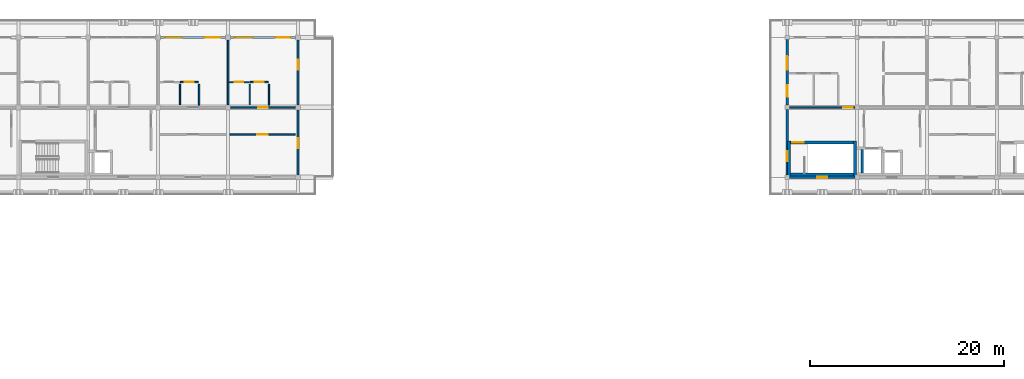
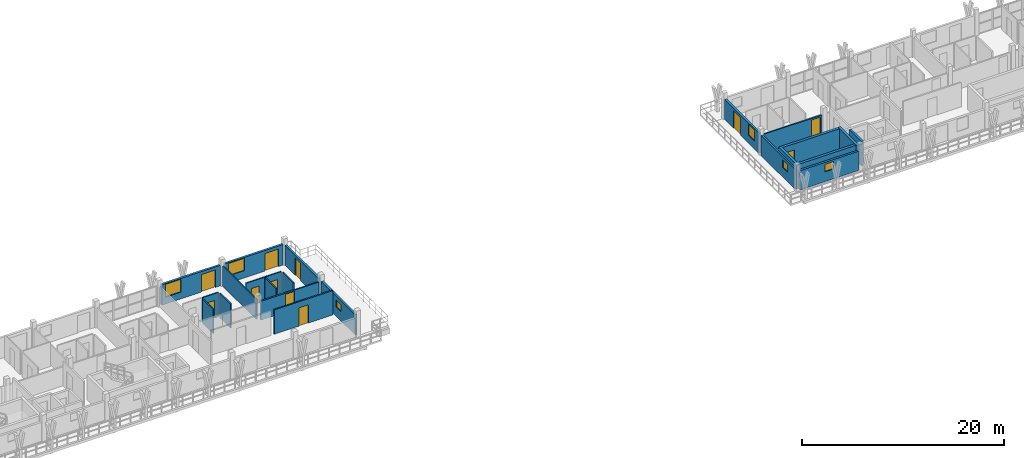
# One storey, part 22 of 32: 23 walls, 11 doors, 6 windows, 17 openings.
"""IFC4 building model written with IfcOpenShell, lengths in metres."""

from ifc_helpers import new_model, si_unit, direction, frame, frame_2d, origin, place, context, subcontext, project, spatial, rectangle, extrude, material, layer, layer_set, type_object, element, fill, save


model = new_model("IFC4")

# Units and contexts
model_context = context("Model", 3, precision=1e-05, world=origin(), true_north=direction((0.0, 1.0)))
body_context = subcontext(model_context, "Body", "Model", "MODEL_VIEW")
ifc_project = project(units=[si_unit("LENGTHUNIT", "METRE"), si_unit("AREAUNIT", "SQUARE_METRE"), si_unit("VOLUMEUNIT", "CUBIC_METRE"), si_unit("PLANEANGLEUNIT", "RADIAN"), si_unit("MASSUNIT", "GRAM", prefix="KILO")], contexts=[model_context])

# Site, building, storey
site_placement = place(None, origin())
site = spatial("IfcSite", under=ifc_project, at=site_placement, CompositionType="ELEMENT")
building_placement = place(site_placement, origin())
building = spatial("IfcBuilding", under=site, at=building_placement, Name="Suanplinth Sawtooth Commons", CompositionType="ELEMENT")
storey_placement = place(building_placement, frame((0.0, 0.0, 41.199951171875)))
storey = spatial("IfcBuildingStorey", under=building, at=storey_placement, Name="L12", CompositionType="ELEMENT", Elevation=41.199951171875)

# Wall
ifc_material_1 = material(Name="Concrete C40/50", Category="concrete")
ifc_layer_1 = layer(ifc_material_1, 0.300048828125, Name="Standard RC stair and lift core wall 300mm")
ifc_layer_set_1 = layer_set([ifc_layer_1], Name="Concrete C40/50")
wall_type_1 = type_object("IfcWallType", Name="W-CR02", PredefinedType="SHEAR", material=ifc_layer_set_1)
wall_1_placement = place(storey_placement, frame((137.14990234375, 108.300048828125, 0.0), z_axis=(0.0, 0.0, 1.0), x_axis=(1.0, 0.0, 0.0)))
element("IfcWall", 1, at=wall_1_placement, inside=storey, type_object=wall_type_1, Name="W-L12-C-B1-STS", PredefinedType="SHEAR", context=body_context, shape_type="SweptSolid", body=[
    extrude(rectangle(XDim=6.5, YDim=0.300048828125, at=frame_2d((3.25, 0.0))), origin(), (0.0, 0.0, 1.0), 2.949951171875),
])

# Wall, opening, door
wall_2_placement = place(storey_placement, frame((137.14990234375, 111.60009765625, 0.0), z_axis=(0.0, 0.0, 1.0), x_axis=(1.0, 0.0, 0.0)))
wall_2 = element("IfcWall", 2, at=wall_2_placement, inside=storey, type_object=wall_type_1, Name="W-L12-C-B1-STN", PredefinedType="SHEAR", context=body_context, shape_type="SweptSolid", body=[
    extrude(rectangle(XDim=6.5, YDim=0.300048828125, at=frame_2d((3.25, 0.0))), origin(), (0.0, 0.0, 1.0), 2.949951171875),
])
opening_1_placement = place(wall_2_placement, frame((0.179931640625, 0.0, 0.0)))
opening_1 = element("IfcOpeningElement", 3, at=opening_1_placement, cuts=wall_2, Name="Opening FD0219", PredefinedType="OPENING", context=body_context, shape_type="SweptSolid", body=[
    extrude(rectangle(XDim=1.14990234375, YDim=2.199951171875, at=frame_2d((0.574951171875, 1.10009765625))), frame((0.0, 0.1650390625, 0.0), z_axis=(0.0, -1.0, 0.0), x_axis=(1.0, 0.0, 0.0)), (0.0, 0.0, 1.0), 0.329833984375),
])
ifc_material_2 = material(Name="Teak hardwood fire-rated door assembly", Category="wood")
door_type_1 = type_object("IfcDoorType", Name="FD-01", OperationType="NOTDEFINED", PredefinedType="DOOR", material=ifc_material_2)
door_1_placement = place(opening_1_placement, frame((1.14990234375, 0.0, 0.0), z_axis=(0.0, 0.0, 1.0), x_axis=(-1.0, 0.0, 0.0)))
door_1 = element("IfcDoor", 4, at=door_1_placement, inside=storey, type_object=door_type_1, Name="Exit Stair Fire Door FD0219", OperationType="SINGLE_SWING_LEFT", OverallHeight=2.199951171875, OverallWidth=1.14990234375, PredefinedType="DOOR", context=body_context, shape_type="SweptSolid", body=[
    extrude(rectangle(XDim=1.14990234375, YDim=2.199951171875, at=frame_2d((0.574951171875, 1.10009765625))), frame((0.0, 0.02490234375, 0.0), z_axis=(0.0, -1.0, 0.0), x_axis=(1.0, 0.0, 0.0)), (0.0, 0.0, 1.0), 0.050048828125),
])
fill(opening_1, door_1)

# Walls
for number, where, z_axis, x_axis, name in (
    (5, (137.0, 108.14990234375, 0.0), (0.0, 0.0, 1.0), (0.0, 1.0, 0.0), "W-L12-C-B1-STW"),
    (6, (143.800048828125, 108.14990234375, 0.0), (0.0, 0.0, 1.0), (0.0, 1.0, 0.0), "W-L12-C-B1-STE"),
):
    element("IfcWall", number, at=place(storey_placement, frame(where, z_axis=z_axis, x_axis=x_axis)), inside=storey, type_object=wall_type_1, Name=name, PredefinedType="SHEAR", context=body_context, shape_type="SweptSolid", body=[
        extrude(rectangle(XDim=3.60009765625, YDim=0.300048828125, at=frame_2d((1.800048828125, 0.0))), origin(), (0.0, 0.0, 1.0), 2.949951171875),
    ])

# Wall, openings, door, window
ifc_material_3 = material(Name="Precast concrete C40/50", Category="concrete")
ifc_layer_2 = layer(ifc_material_3, 0.239990234375, Name="Upper insulated precast facade wall 240mm")
ifc_layer_set_2 = layer_set([ifc_layer_2], Name="Precast concrete C40/50")
wall_type_2 = type_object("IfcWallType", Name="W-EX03", PredefinedType="ELEMENTEDWALL", material=ifc_layer_set_2)
wall_3_placement = place(storey_placement, frame((72.25, 122.39990234375, 0.0), z_axis=(0.0, 0.0, 1.0), x_axis=(1.0, 0.0, 0.0)))
wall_3 = element("IfcWall", 7, at=wall_3_placement, inside=storey, type_object=wall_type_2, Name="Facade Wall W-L12-A-N-6", PredefinedType="ELEMENTEDWALL", context=body_context, shape_type="SweptSolid", body=[
    extrude(rectangle(XDim=6.699951171875, YDim=0.239990234375, at=frame_2d((3.35009765625, 0.0))), origin(), (0.0, 0.0, 1.0), 2.485107421875),
])
opening_2_placement = place(wall_3_placement, frame((4.550048828125, 0.0, 0.0)))
opening_2 = element("IfcOpeningElement", 8, at=opening_2_placement, cuts=wall_3, Name="Opening ED0813", PredefinedType="OPENING", context=body_context, shape_type="SweptSolid", body=[
    extrude(rectangle(XDim=1.60009765625, YDim=2.1201171875, at=frame_2d((0.800048828125, 1.06005859375))), frame((0.0, 0.134765625, 0.0), z_axis=(0.0, -1.0, 0.0), x_axis=(1.0, 0.0, 0.0)), (0.0, 0.0, 1.0), 0.269775390625),
])
opening_3_placement = place(wall_3_placement, frame((0.449951171875, 0.0, 0.824951171875)))
opening_3 = element("IfcOpeningElement", 9, at=opening_3_placement, cuts=wall_3, Name="Opening W0897", PredefinedType="OPENING", context=body_context, shape_type="SweptSolid", body=[
    extrude(rectangle(XDim=1.75, YDim=1.550048828125, at=frame_2d((0.875, 0.77490234375))), frame((0.0, 0.134765625, 0.0), z_axis=(0.0, -1.0, 0.0), x_axis=(1.0, 0.0, 0.0)), (0.0, 0.0, 1.0), 0.269775390625),
])
ifc_material_4 = material(Name="Anodized aluminium and low-E glass", Category="aluminium")
door_type_2 = type_object("IfcDoorType", Name="SD-02", OperationType="SLIDING_TO_RIGHT", PredefinedType="DOOR", material=ifc_material_4)
door_2_placement = place(opening_2_placement, frame((1.60009765625, 0.0, 0.0), z_axis=(0.0, 0.0, 1.0), x_axis=(-1.0, 0.0, 0.0)))
door_2 = element("IfcDoor", 10, at=door_2_placement, inside=storey, type_object=door_type_2, Name="Balcony Sliding Door L12-A-N-6", OperationType="SLIDING_TO_RIGHT", OverallHeight=2.1201171875, OverallWidth=1.60009765625, PredefinedType="DOOR", context=body_context, shape_type="SweptSolid", body=[
    extrude(rectangle(XDim=1.60009765625, YDim=2.1201171875, at=frame_2d((0.800048828125, 1.06005859375))), frame((0.0, 0.02490234375, 0.0), z_axis=(0.0, -1.0, 0.0), x_axis=(1.0, 0.0, 0.0)), (0.0, 0.0, 1.0), 0.050048828125),
])
fill(opening_2, door_2)
ifc_material_5 = material(Name="Thermally broken aluminium and low-E double glazing", Category="aluminium")
window_type_1 = type_object("IfcWindowType", Name="WN-26", PartitioningType="DOUBLE_PANEL_VERTICAL", PredefinedType="WINDOW", material=ifc_material_5)
window_1_placement = place(opening_3_placement, origin())
window_1 = element("IfcWindow", 11, at=window_1_placement, inside=storey, type_object=window_type_1, Name="Window L12-A-N-6", OverallHeight=1.550048828125, OverallWidth=1.75, PartitioningType="DOUBLE_PANEL_VERTICAL", PredefinedType="WINDOW", context=body_context, shape_type="SweptSolid", body=[
    extrude(rectangle(XDim=1.75, YDim=1.550048828125, at=frame_2d((0.875, 0.77490234375))), frame((0.0, 0.030029296875, 0.0), z_axis=(0.0, -1.0, 0.0), x_axis=(1.0, 0.0, 0.0)), (0.0, 0.0, 1.0), 0.06005859375),
])
fill(opening_3, window_1)

wall_4_placement = place(storey_placement, frame((79.449951171875, 122.39990234375, 0.0), z_axis=(0.0, 0.0, 1.0), x_axis=(1.0, 0.0, 0.0)))
wall_4 = element("IfcWall", 12, at=wall_4_placement, inside=storey, type_object=wall_type_2, Name="Facade Wall W-L12-A-N-7", PredefinedType="ELEMENTEDWALL", context=body_context, shape_type="SweptSolid", body=[
    extrude(rectangle(XDim=6.699951171875, YDim=0.239990234375, at=frame_2d((3.35009765625, 0.0))), origin(), (0.0, 0.0, 1.0), 2.485107421875),
])
opening_4_placement = place(wall_4_placement, frame((4.64990234375, 0.0, 0.0)))
opening_4 = element("IfcOpeningElement", 13, at=opening_4_placement, cuts=wall_4, Name="Opening ED0815", PredefinedType="OPENING", context=body_context, shape_type="SweptSolid", body=[
    extrude(rectangle(XDim=1.5, YDim=2.1201171875, at=frame_2d((0.75, 1.06005859375))), frame((0.0, 0.134765625, 0.0), z_axis=(0.0, -1.0, 0.0), x_axis=(1.0, 0.0, 0.0)), (0.0, 0.0, 1.0), 0.269775390625),
])
opening_5_placement = place(wall_4_placement, frame((0.449951171875, 0.0, 0.875)))
opening_5 = element("IfcOpeningElement", 14, at=opening_5_placement, cuts=wall_4, Name="Opening W0898", PredefinedType="OPENING", context=body_context, shape_type="SweptSolid", body=[
    extrude(rectangle(XDim=1.800048828125, YDim=1.5, at=frame_2d((0.89990234375, 0.75))), frame((0.0, 0.134765625, 0.0), z_axis=(0.0, -1.0, 0.0), x_axis=(1.0, 0.0, 0.0)), (0.0, 0.0, 1.0), 0.269775390625),
])
door_type_3 = type_object("IfcDoorType", Name="SD-03", OperationType="SLIDING_TO_LEFT", PredefinedType="DOOR", material=ifc_material_4)
door_3_placement = place(opening_4_placement, frame((1.5, 0.0, 0.0), z_axis=(0.0, 0.0, 1.0), x_axis=(-1.0, 0.0, 0.0)))
door_3 = element("IfcDoor", 15, at=door_3_placement, inside=storey, type_object=door_type_3, Name="Balcony Sliding Door L12-A-N-7", OperationType="SLIDING_TO_LEFT", OverallHeight=2.1201171875, OverallWidth=1.5, PredefinedType="DOOR", context=body_context, shape_type="SweptSolid", body=[
    extrude(rectangle(XDim=1.5, YDim=2.1201171875, at=frame_2d((0.75, 1.06005859375))), frame((0.0, 0.02490234375, 0.0), z_axis=(0.0, -1.0, 0.0), x_axis=(1.0, 0.0, 0.0)), (0.0, 0.0, 1.0), 0.050048828125),
])
fill(opening_4, door_3)
window_type_2 = type_object("IfcWindowType", Name="WN-01", PartitioningType="DOUBLE_PANEL_VERTICAL", PredefinedType="WINDOW", material=ifc_material_5)
window_2_placement = place(opening_5_placement, origin())
window_2 = element("IfcWindow", 16, at=window_2_placement, inside=storey, type_object=window_type_2, Name="Window L12-A-N-7", OverallHeight=1.5, OverallWidth=1.800048828125, PartitioningType="DOUBLE_PANEL_VERTICAL", PredefinedType="WINDOW", context=body_context, shape_type="SweptSolid", body=[
    extrude(rectangle(XDim=1.800048828125, YDim=1.5, at=frame_2d((0.89990234375, 0.75))), frame((0.0, 0.030029296875, 0.0), z_axis=(0.0, -1.0, 0.0), x_axis=(1.0, 0.0, 0.0)), (0.0, 0.0, 1.0), 0.06005859375),
])
fill(opening_5, window_2)

# Wall, opening, window
wall_5_placement = place(storey_placement, frame((137.02490234375, 108.0, 0.0), z_axis=(0.0, 0.0, 1.0), x_axis=(1.0, 0.0, 0.0)))
wall_5 = element("IfcWall", 17, at=wall_5_placement, inside=storey, type_object=wall_type_2, Name="Facade Wall W-L12-B-S-19-15", PredefinedType="ELEMENTEDWALL", context=body_context, shape_type="SweptSolid", body=[
    extrude(rectangle(XDim=6.75, YDim=0.239990234375, at=frame_2d((3.375, 0.0))), origin(), (0.0, 0.0, 1.0), 2.344970703125),
])
opening_6_placement = place(wall_5_placement, frame((2.875, 0.0, 1.199951171875)))
opening_6 = element("IfcOpeningElement", 18, at=opening_6_placement, cuts=wall_5, Name="Opening W0901", PredefinedType="OPENING", context=body_context, shape_type="SweptSolid", body=[
    extrude(rectangle(XDim=1.0, YDim=0.89990234375, at=frame_2d((0.5, 0.449951171875))), frame((0.0, 0.134765625, 0.0), z_axis=(0.0, -1.0, 0.0), x_axis=(1.0, 0.0, 0.0)), (0.0, 0.0, 1.0), 0.269775390625),
])
window_type_3 = type_object("IfcWindowType", Name="WN-12", PartitioningType="SINGLE_PANEL", PredefinedType="WINDOW", material=ifc_material_5)
window_3_placement = place(opening_6_placement, origin())
window_3 = element("IfcWindow", 19, at=window_3_placement, inside=storey, type_object=window_type_3, Name="Core Daylight Window L12-B-19-15", OverallHeight=0.89990234375, OverallWidth=1.0, PartitioningType="SINGLE_PANEL", PredefinedType="WINDOW", context=body_context, shape_type="SweptSolid", body=[
    extrude(rectangle(XDim=1.0, YDim=0.89990234375, at=frame_2d((0.5, 0.449951171875))), frame((0.0, 0.030029296875, 0.0), z_axis=(0.0, -1.0, 0.0), x_axis=(1.0, 0.0, 0.0)), (0.0, 0.0, 1.0), 0.06005859375),
])
fill(opening_6, window_3)

wall_6_placement = place(storey_placement, frame((136.800048828125, 108.22509765625, 0.0), z_axis=(0.0, 0.0, 1.0), x_axis=(0.0, 1.0, 0.0)))
wall_6 = element("IfcWall", 20, at=wall_6_placement, inside=storey, type_object=wall_type_2, Name="Facade Wall W-L12-B-W-19-15", PredefinedType="ELEMENTEDWALL", context=body_context, shape_type="SweptSolid", body=[
    extrude(rectangle(XDim=6.75, YDim=0.239990234375, at=frame_2d((3.375, 0.0))), origin(), (0.0, 0.0, 1.0), 2.445068359375),
])
opening_7_placement = place(wall_6_placement, frame((1.449951171875, 0.0, 1.199951171875)))
opening_7 = element("IfcOpeningElement", 21, at=opening_7_placement, cuts=wall_6, Name="Opening W0902", PredefinedType="OPENING", context=body_context, shape_type="SweptSolid", body=[
    extrude(rectangle(XDim=1.0, YDim=0.89990234375, at=frame_2d((0.5, 0.449951171875))), frame((0.0, 0.134765625, 0.0), z_axis=(0.0, -1.0, 0.0), x_axis=(1.0, 0.0, 0.0)), (0.0, 0.0, 1.0), 0.269775390625),
])
window_4_placement = place(opening_7_placement, origin())
window_4 = element("IfcWindow", 22, at=window_4_placement, inside=storey, type_object=window_type_3, Name="Core Daylight Window L12-B-19-15", OverallHeight=0.89990234375, OverallWidth=1.0, PartitioningType="SINGLE_PANEL", PredefinedType="WINDOW", context=body_context, shape_type="SweptSolid", body=[
    extrude(rectangle(XDim=1.0, YDim=0.89990234375, at=frame_2d((0.5, 0.449951171875))), frame((0.0, 0.030029296875, 0.0), z_axis=(0.0, -1.0, 0.0), x_axis=(1.0, 0.0, 0.0)), (0.0, 0.0, 1.0), 0.06005859375),
])
fill(opening_7, window_4)

# Wall, openings, door, window
wall_7_placement = place(storey_placement, frame((136.800048828125, 115.425048828125, 0.0), z_axis=(0.0, 0.0, 1.0), x_axis=(0.0, 1.0, 0.0)))
wall_7 = element("IfcWall", 23, at=wall_7_placement, inside=storey, type_object=wall_type_2, Name="Facade Wall W-L12-B-W-19-16", PredefinedType="ELEMENTEDWALL", context=body_context, shape_type="SweptSolid", body=[
    extrude(rectangle(XDim=6.75, YDim=0.239990234375, at=frame_2d((3.375, 0.0))), origin(), (0.0, 0.0, 1.0), 2.445068359375),
])
opening_8_placement = place(wall_7_placement, frame((3.64990234375, 0.0, 0.0)))
opening_8 = element("IfcOpeningElement", 24, at=opening_8_placement, cuts=wall_7, Name="Opening ED0820", PredefinedType="OPENING", context=body_context, shape_type="SweptSolid", body=[
    extrude(rectangle(XDim=1.39990234375, YDim=2.10009765625, at=frame_2d((0.699951171875, 1.050048828125))), frame((0.0, 0.134765625, 0.0), z_axis=(0.0, -1.0, 0.0), x_axis=(1.0, 0.0, 0.0)), (0.0, 0.0, 1.0), 0.269775390625),
])
opening_9_placement = place(wall_7_placement, frame((0.85009765625, 0.0, 0.949951171875)))
opening_9 = element("IfcOpeningElement", 25, at=opening_9_placement, cuts=wall_7, Name="Opening W0904", PredefinedType="OPENING", context=body_context, shape_type="SweptSolid", body=[
    extrude(rectangle(XDim=1.199951171875, YDim=1.35009765625, at=frame_2d((0.60009765625, 0.675048828125))), frame((0.0, 0.134765625, 0.0), z_axis=(0.0, -1.0, 0.0), x_axis=(1.0, 0.0, 0.0)), (0.0, 0.0, 1.0), 0.269775390625),
])
door_type_4 = type_object("IfcDoorType", Name="SD-07", OperationType="SLIDING_TO_RIGHT", PredefinedType="DOOR", material=ifc_material_4)
door_4_placement = place(opening_8_placement, frame((1.39990234375, 0.0, 0.0), z_axis=(0.0, 0.0, 1.0), x_axis=(-1.0, 0.0, 0.0)))
door_4 = element("IfcDoor", 26, at=door_4_placement, inside=storey, type_object=door_type_4, Name="End Balcony Sliding Door L12-B-W-19-16", OperationType="SLIDING_TO_RIGHT", OverallHeight=2.10009765625, OverallWidth=1.39990234375, PredefinedType="DOOR", context=body_context, shape_type="SweptSolid", body=[
    extrude(rectangle(XDim=1.39990234375, YDim=2.10009765625, at=frame_2d((0.699951171875, 1.050048828125))), frame((0.0, 0.02490234375, 0.0), z_axis=(0.0, -1.0, 0.0), x_axis=(1.0, 0.0, 0.0)), (0.0, 0.0, 1.0), 0.050048828125),
])
fill(opening_8, door_4)
window_type_4 = type_object("IfcWindowType", Name="WN-03", PartitioningType="SINGLE_PANEL", PredefinedType="WINDOW", material=ifc_material_5)
window_5_placement = place(opening_9_placement, origin())
window_5 = element("IfcWindow", 27, at=window_5_placement, inside=storey, type_object=window_type_4, Name="End Bedroom Window L12-B-19-16", OverallHeight=1.35009765625, OverallWidth=1.199951171875, PartitioningType="SINGLE_PANEL", PredefinedType="WINDOW", context=body_context, shape_type="SweptSolid", body=[
    extrude(rectangle(XDim=1.199951171875, YDim=1.35009765625, at=frame_2d((0.60009765625, 0.675048828125))), frame((0.0, 0.030029296875, 0.0), z_axis=(0.0, -1.0, 0.0), x_axis=(1.0, 0.0, 0.0)), (0.0, 0.0, 1.0), 0.06005859375),
])
fill(opening_9, window_5)

# Wall, opening, window
ifc_layer_3 = layer(ifc_material_3, 0.22998046875, Name="Stepped terrace insulated precast wall 230mm")
ifc_layer_set_3 = layer_set([ifc_layer_3], Name="Precast concrete C40/50")
wall_type_3 = type_object("IfcWallType", Name="W-EX06", PredefinedType="ELEMENTEDWALL", material=ifc_layer_set_3)
wall_8_placement = place(storey_placement, frame((86.39990234375, 108.25, 0.0), z_axis=(0.0, 0.0, 1.0), x_axis=(0.0, 1.0, 0.0)))
wall_8 = element("IfcWall", 28, at=wall_8_placement, inside=storey, type_object=wall_type_3, Name="End Wall W-L12-A-E-15", PredefinedType="ELEMENTEDWALL", context=body_context, shape_type="SweptSolid", body=[
    extrude(rectangle(XDim=6.699951171875, YDim=0.22998046875, at=frame_2d((3.35009765625, 0.0))), origin(), (0.0, 0.0, 1.0), 2.43505859375),
])
opening_10_placement = place(wall_8_placement, frame((2.75, 0.0, 1.10009765625)))
opening_10 = element("IfcOpeningElement", 29, at=opening_10_placement, cuts=wall_8, Name="Opening W0900", PredefinedType="OPENING", context=body_context, shape_type="SweptSolid", body=[
    extrude(rectangle(XDim=1.0, YDim=0.89990234375, at=frame_2d((0.5, 0.449951171875))), frame((0.0, 0.1298828125, 0.0), z_axis=(0.0, -1.0, 0.0), x_axis=(1.0, 0.0, 0.0)), (0.0, 0.0, 1.0), 0.259765625),
])
window_6_placement = place(opening_10_placement, origin())
window_6 = element("IfcWindow", 30, at=window_6_placement, inside=storey, type_object=window_type_3, Name="End Window L12-A-E-15", OverallHeight=0.89990234375, OverallWidth=1.0, PartitioningType="SINGLE_PANEL", PredefinedType="WINDOW", context=body_context, shape_type="SweptSolid", body=[
    extrude(rectangle(XDim=1.0, YDim=0.89990234375, at=frame_2d((0.5, 0.449951171875))), frame((0.0, 0.030029296875, 0.0), z_axis=(0.0, -1.0, 0.0), x_axis=(1.0, 0.0, 0.0)), (0.0, 0.0, 1.0), 0.06005859375),
])
fill(opening_10, window_6)

# Wall, opening, door
wall_9_placement = place(storey_placement, frame((86.39990234375, 115.449951171875, 0.0), z_axis=(0.0, 0.0, 1.0), x_axis=(0.0, 1.0, 0.0)))
wall_9 = element("IfcWall", 31, at=wall_9_placement, inside=storey, type_object=wall_type_3, Name="End Wall W-L12-A-E-16", PredefinedType="ELEMENTEDWALL", context=body_context, shape_type="SweptSolid", body=[
    extrude(rectangle(XDim=6.699951171875, YDim=0.22998046875, at=frame_2d((3.35009765625, 0.0))), origin(), (0.0, 0.0, 1.0), 2.43505859375),
])
opening_11_placement = place(wall_9_placement, frame((3.60009765625, 0.0, 0.0)))
opening_11 = element("IfcOpeningElement", 32, at=opening_11_placement, cuts=wall_9, Name="Opening ED0818", PredefinedType="OPENING", context=body_context, shape_type="SweptSolid", body=[
    extrude(rectangle(XDim=1.080078125, YDim=2.1201171875, at=frame_2d((0.5400390625, 1.06005859375))), frame((0.0, 0.1298828125, 0.0), z_axis=(0.0, -1.0, 0.0), x_axis=(1.0, 0.0, 0.0)), (0.0, 0.0, 1.0), 0.259765625),
])
door_type_5 = type_object("IfcDoorType", Name="ED-10", OperationType="NOTDEFINED", PredefinedType="DOOR", material=ifc_material_4)
door_5_placement = place(opening_11_placement, frame((1.080078125, 0.0, 0.0), z_axis=(0.0, 0.0, 1.0), x_axis=(-1.0, 0.0, 0.0)))
door_5 = element("IfcDoor", 33, at=door_5_placement, inside=storey, type_object=door_type_5, Name="L12 Block A E Stepped Terrace Door", OperationType="SINGLE_SWING_LEFT", OverallHeight=2.1201171875, OverallWidth=1.080078125, PredefinedType="DOOR", context=body_context, shape_type="SweptSolid", body=[
    extrude(rectangle(XDim=1.080078125, YDim=2.1201171875, at=frame_2d((0.5400390625, 1.06005859375))), frame((0.0, 0.02490234375, 0.0), z_axis=(0.0, -1.0, 0.0), x_axis=(1.0, 0.0, 0.0)), (0.0, 0.0, 1.0), 0.050048828125),
])
fill(opening_11, door_5)

ifc_layer_4 = layer(ifc_material_3, 0.159912109375, Name="Fire-rated corridor and lobby wall 160mm")
ifc_layer_set_4 = layer_set([ifc_layer_4], Name="Precast concrete C40/50")
wall_type_4 = type_object("IfcWallType", Name="W-FW01", PredefinedType="PARTITIONING", material=ifc_layer_set_4)
wall_10_placement = place(storey_placement, frame((79.47998046875, 115.199951171875, 0.0), z_axis=(0.0, 0.0, 1.0), x_axis=(1.0, 0.0, 0.0)))
wall_10 = element("IfcWall", 34, at=wall_10_placement, inside=storey, type_object=wall_type_4, Name="W-A-L12-U07-COR", PredefinedType="PARTITIONING", context=body_context, shape_type="SweptSolid", body=[
    extrude(rectangle(XDim=6.64013671875, YDim=0.159912109375, at=frame_2d((3.320068359375, 0.0))), origin(), (0.0, 0.0, 1.0), 2.28515625),
])
opening_12_placement = place(wall_10_placement, frame((2.820068359375, 0.0, 0.0)))
opening_12 = element("IfcOpeningElement", 35, at=opening_12_placement, cuts=wall_10, Name="Opening FD2003", PredefinedType="OPENING", context=body_context, shape_type="SweptSolid", body=[
    extrude(rectangle(XDim=1.0, YDim=2.14990234375, at=frame_2d((0.5, 1.074951171875))), frame((0.0, 0.0947265625, 0.0), z_axis=(0.0, -1.0, 0.0), x_axis=(1.0, 0.0, 0.0)), (0.0, 0.0, 1.0), 0.189697265625),
])
door_type_6 = type_object("IfcDoorType", Name="FD-03", OperationType="NOTDEFINED", PredefinedType="DOOR", material=ifc_material_2)
door_6_placement = place(opening_12_placement, origin())
door_6 = element("IfcDoor", 36, at=door_6_placement, inside=storey, type_object=door_type_6, Name="Unit Entrance Door FD2003", OperationType="SINGLE_SWING_LEFT", OverallHeight=2.14990234375, OverallWidth=1.0, PredefinedType="DOOR", context=body_context, shape_type="SweptSolid", body=[
    extrude(rectangle(XDim=1.0, YDim=2.14990234375, at=frame_2d((0.5, 1.074951171875))), frame((0.0, 0.02490234375, 0.0), z_axis=(0.0, -1.0, 0.0), x_axis=(1.0, 0.0, 0.0)), (0.0, 0.0, 1.0), 0.050048828125),
])
fill(opening_12, door_6)

wall_11_placement = place(storey_placement, frame((79.39990234375, 112.419921875, 0.0), z_axis=(0.0, 0.0, 1.0), x_axis=(1.0, 0.0, 0.0)))
wall_11 = element("IfcWall", 37, at=wall_11_placement, inside=storey, type_object=wall_type_4, Name="W-A-L12-COURTROOM-10-COR", PredefinedType="PARTITIONING", context=body_context, shape_type="SweptSolid", body=[
    extrude(rectangle(XDim=6.72021484375, YDim=0.159912109375, at=frame_2d((3.360107421875, 0.0))), origin(), (0.0, 0.0, 1.0), 2.949951171875),
])
opening_13_placement = place(wall_11_placement, frame((2.820068359375, 0.0, 0.0)))
opening_13 = element("IfcOpeningElement", 38, at=opening_13_placement, cuts=wall_11, Name="Opening D2009", PredefinedType="OPENING", context=body_context, shape_type="SweptSolid", body=[
    extrude(rectangle(XDim=1.080078125, YDim=2.219970703125, at=frame_2d((0.5400390625, 1.10986328125))), frame((0.0, 0.0947265625, 0.0), z_axis=(0.0, -1.0, 0.0), x_axis=(1.0, 0.0, 0.0)), (0.0, 0.0, 1.0), 0.189697265625),
])
ifc_material_6 = material(Name="Teak hardwood", Category="wood")
door_type_7 = type_object("IfcDoorType", Name="D-17", OperationType="NOTDEFINED", PredefinedType="DOOR", material=ifc_material_6)
door_7_placement = place(opening_13_placement, frame((1.080078125, 0.0, 0.0), z_axis=(0.0, 0.0, 1.0), x_axis=(-1.0, 0.0, 0.0)))
door_7 = element("IfcDoor", 39, at=door_7_placement, inside=storey, type_object=door_type_7, Name="Study Studio Door D2009", OperationType="SINGLE_SWING_LEFT", OverallHeight=2.219970703125, OverallWidth=1.080078125, PredefinedType="DOOR", context=body_context, shape_type="SweptSolid", body=[
    extrude(rectangle(XDim=1.080078125, YDim=2.219970703125, at=frame_2d((0.5400390625, 1.10986328125))), frame((0.0, 0.02490234375, 0.0), z_axis=(0.0, -1.0, 0.0), x_axis=(1.0, 0.0, 0.0)), (0.0, 0.0, 1.0), 0.050048828125),
])
fill(opening_13, door_7)

wall_12_placement = place(storey_placement, frame((137.080078125, 115.199951171875, 0.0), z_axis=(0.0, 0.0, 1.0), x_axis=(1.0, 0.0, 0.0)))
wall_12 = element("IfcWall", 40, at=wall_12_placement, inside=storey, type_object=wall_type_4, Name="W-B-L12-U01-COR-S1", PredefinedType="PARTITIONING", context=body_context, shape_type="SweptSolid", body=[
    extrude(rectangle(XDim=6.6650390625, YDim=0.159912109375, at=frame_2d((3.33251953125, 0.0))), origin(), (0.0, 0.0, 1.0), 2.344970703125),
])
opening_14_placement = place(wall_12_placement, frame((5.485107421875, 0.0, 0.0)))
opening_14 = element("IfcOpeningElement", 41, at=opening_14_placement, cuts=wall_12, Name="Opening FD2010", PredefinedType="OPENING", context=body_context, shape_type="SweptSolid", body=[
    extrude(rectangle(XDim=1.0, YDim=2.14990234375, at=frame_2d((0.5, 1.074951171875))), frame((0.0, 0.0947265625, 0.0), z_axis=(0.0, -1.0, 0.0), x_axis=(1.0, 0.0, 0.0)), (0.0, 0.0, 1.0), 0.189697265625),
])
door_8_placement = place(opening_14_placement, origin())
door_8 = element("IfcDoor", 42, at=door_8_placement, inside=storey, type_object=door_type_6, Name="Unit Entrance Door FD2010", OperationType="SINGLE_SWING_RIGHT", OverallHeight=2.14990234375, OverallWidth=1.0, PredefinedType="DOOR", context=body_context, shape_type="SweptSolid", body=[
    extrude(rectangle(XDim=1.0, YDim=2.14990234375, at=frame_2d((0.5, 1.074951171875))), frame((0.0, 0.02490234375, 0.0), z_axis=(0.0, -1.0, 0.0), x_axis=(1.0, 0.0, 0.0)), (0.0, 0.0, 1.0), 0.050048828125),
])
fill(opening_14, door_8)

# Wall
ifc_layer_5 = layer(ifc_material_3, 0.14990234375, Name="Acoustic precast party demising wall 150mm")
ifc_layer_set_5 = layer_set([ifc_layer_5], Name="Precast concrete C40/50")
wall_type_5 = type_object("IfcWallType", Name="W-FW02", PredefinedType="PARTITIONING", material=ifc_layer_set_5)
wall_13_placement = place(storey_placement, frame((79.199951171875, 115.47998046875, 0.0), z_axis=(0.0, 0.0, 1.0), x_axis=(0.0, 1.0, 0.0)))
element("IfcWall", 43, at=wall_13_placement, inside=storey, type_object=wall_type_5, Name="W-A-L12-U06-PTY", PredefinedType="PARTITIONING", context=body_context, shape_type="SweptSolid", body=[
    extrude(rectangle(XDim=6.64013671875, YDim=0.14990234375, at=frame_2d((3.320068359375, 0.0))), origin(), (0.0, 0.0, 1.0), 2.43505859375),
])

# Wall, opening, door
ifc_material_7 = material(Name="Gypsum plasterboard on steel stud", Category="steel")
ifc_layer_6 = layer(ifc_material_7, 0.139892578125, Name="Fire-rated kitchen partition 140mm")
ifc_layer_set_6 = layer_set([ifc_layer_6], Name="Gypsum plasterboard on steel stud")
wall_type_6 = type_object("IfcWallType", Name="W-PT01", PredefinedType="PARTITIONING", material=ifc_layer_set_6)
wall_14_placement = place(storey_placement, frame((74.300048828125, 117.800048828125, 0.0), z_axis=(0.0, 0.0, 1.0), x_axis=(1.0, 0.0, 0.0)))
wall_14 = element("IfcWall", 44, at=wall_14_placement, inside=storey, type_object=wall_type_6, Name="W-A-L12-U06-KIT1", PredefinedType="PARTITIONING", context=body_context, shape_type="SweptSolid", body=[
    extrude(rectangle(XDim=1.849853515625, YDim=0.139892578125, at=frame_2d((0.9248046875, 0.0))), origin(), (0.0, 0.0, 1.0), 2.949951171875),
])
opening_15_placement = place(wall_14_placement, frame((0.4599609375, 0.0, 0.0)))
opening_15 = element("IfcOpeningElement", 45, at=opening_15_placement, cuts=wall_14, Name="Opening D2002", PredefinedType="OPENING", context=body_context, shape_type="SweptSolid", body=[
    extrude(rectangle(XDim=0.929931640625, YDim=2.139892578125, at=frame_2d((0.46484375, 1.06982421875))), frame((0.0, 0.0849609375, 0.0), z_axis=(0.0, -1.0, 0.0), x_axis=(1.0, 0.0, 0.0)), (0.0, 0.0, 1.0), 0.169677734375),
])
door_type_8 = type_object("IfcDoorType", Name="D-19", OperationType="NOTDEFINED", PredefinedType="DOOR", material=ifc_material_6)
door_9_placement = place(opening_15_placement, frame((0.929931640625, 0.0, 0.0), z_axis=(0.0, 0.0, 1.0), x_axis=(-1.0, 0.0, 0.0)))
door_9 = element("IfcDoor", 46, at=door_9_placement, inside=storey, type_object=door_type_8, Name="Kitchen Door D2002", OperationType="SINGLE_SWING_RIGHT", OverallHeight=2.139892578125, OverallWidth=0.929931640625, PredefinedType="DOOR", context=body_context, shape_type="SweptSolid", body=[
    extrude(rectangle(XDim=0.929931640625, YDim=2.139892578125, at=frame_2d((0.46484375, 1.06982421875))), frame((0.0, 0.02490234375, 0.0), z_axis=(0.0, -1.0, 0.0), x_axis=(1.0, 0.0, 0.0)), (0.0, 0.0, 1.0), 0.050048828125),
])
fill(opening_15, door_9)

# Wall
wall_15_placement = place(storey_placement, frame((76.219970703125, 115.429931640625, 0.0), z_axis=(0.0, 0.0, 1.0), x_axis=(0.0, 1.0, 0.0)))
element("IfcWall", 47, at=wall_15_placement, inside=storey, type_object=wall_type_6, Name="W-A-L12-U06-KIT2", PredefinedType="PARTITIONING", context=body_context, shape_type="SweptSolid", body=[
    extrude(rectangle(XDim=2.150146484375, YDim=0.139892578125, at=frame_2d((1.0751953125, 0.0))), origin(), (0.0, 0.0, 1.0), 2.949951171875),
])

# Wall, opening, door
wall_16_placement = place(storey_placement, frame((81.5, 117.800048828125, 0.0), z_axis=(0.0, 0.0, 1.0), x_axis=(1.0, 0.0, 0.0)))
wall_16 = element("IfcWall", 48, at=wall_16_placement, inside=storey, type_object=wall_type_6, Name="W-A-L12-U07-KIT1", PredefinedType="PARTITIONING", context=body_context, shape_type="SweptSolid", body=[
    extrude(rectangle(XDim=1.85009765625, YDim=0.139892578125, at=frame_2d((0.925048828125, 0.0))), origin(), (0.0, 0.0, 1.0), 2.949951171875),
])
opening_16_placement = place(wall_16_placement, frame((0.4599609375, 0.0, 0.0)))
opening_16 = element("IfcOpeningElement", 49, at=opening_16_placement, cuts=wall_16, Name="Opening D2005", PredefinedType="OPENING", context=body_context, shape_type="SweptSolid", body=[
    extrude(rectangle(XDim=0.929931640625, YDim=2.139892578125, at=frame_2d((0.46484375, 1.06982421875))), frame((0.0, 0.0849609375, 0.0), z_axis=(0.0, -1.0, 0.0), x_axis=(1.0, 0.0, 0.0)), (0.0, 0.0, 1.0), 0.169677734375),
])
door_10_placement = place(opening_16_placement, frame((0.929931640625, 0.0, 0.0), z_axis=(0.0, 0.0, 1.0), x_axis=(-1.0, 0.0, 0.0)))
door_10 = element("IfcDoor", 50, at=door_10_placement, inside=storey, type_object=door_type_8, Name="Kitchen Door D2005", OperationType="SINGLE_SWING_LEFT", OverallHeight=2.139892578125, OverallWidth=0.929931640625, PredefinedType="DOOR", context=body_context, shape_type="SweptSolid", body=[
    extrude(rectangle(XDim=0.929931640625, YDim=2.139892578125, at=frame_2d((0.46484375, 1.06982421875))), frame((0.0, 0.02490234375, 0.0), z_axis=(0.0, -1.0, 0.0), x_axis=(1.0, 0.0, 0.0)), (0.0, 0.0, 1.0), 0.050048828125),
])
fill(opening_16, door_10)

# Walls
wall_17_placement = place(storey_placement, frame((83.419921875, 115.429931640625, 0.0), z_axis=(0.0, 0.0, 1.0), x_axis=(0.0, 1.0, 0.0)))
element("IfcWall", 51, at=wall_17_placement, inside=storey, type_object=wall_type_6, Name="W-A-L12-U07-KIT2", PredefinedType="PARTITIONING", context=body_context, shape_type="SweptSolid", body=[
    extrude(rectangle(XDim=2.150146484375, YDim=0.139892578125, at=frame_2d((1.0751953125, 0.0))), origin(), (0.0, 0.0, 1.0), 2.949951171875),
])
ifc_layer_7 = layer(ifc_material_7, 0.1298828125, Name="Moisture-resistant bathroom partition 130mm")
ifc_layer_set_7 = layer_set([ifc_layer_7], Name="Gypsum plasterboard on steel stud")
wall_type_7 = type_object("IfcWallType", Name="W-PT02", PredefinedType="PARTITIONING", material=ifc_layer_set_7)
wall_18_placement = place(storey_placement, frame((74.2451171875, 115.4599609375, 0.0), z_axis=(0.0, 0.0, 1.0), x_axis=(0.0, 1.0, 0.0)))
element("IfcWall", 52, at=wall_18_placement, inside=storey, type_object=wall_type_7, Name="W-A-L12-U06-BTH2", PredefinedType="PARTITIONING", context=body_context, shape_type="SweptSolid", body=[
    extrude(rectangle(XDim=2.130126953125, YDim=0.1298828125, at=frame_2d((1.06494140625, 0.0))), origin(), (0.0, 0.0, 1.0), 2.949951171875),
])

# Wall, opening, door
wall_19_placement = place(storey_placement, frame((79.280029296875, 117.794921875, 0.0), z_axis=(0.0, 0.0, 1.0), x_axis=(1.0, 0.0, 0.0)))
wall_19 = element("IfcWall", 53, at=wall_19_placement, inside=storey, type_object=wall_type_7, Name="W-A-L12-U07-BTH1", PredefinedType="PARTITIONING", context=body_context, shape_type="SweptSolid", body=[
    extrude(rectangle(XDim=2.099853515625, YDim=0.1298828125, at=frame_2d((1.0498046875, 0.0))), origin(), (0.0, 0.0, 1.0), 2.949951171875),
])
opening_17_placement = place(wall_19_placement, frame((0.610107421875, 0.0, 0.0)))
opening_17 = element("IfcOpeningElement", 54, at=opening_17_placement, cuts=wall_19, Name="Opening D2004", PredefinedType="OPENING", context=body_context, shape_type="SweptSolid", body=[
    extrude(rectangle(XDim=0.8798828125, YDim=2.10009765625, at=frame_2d((0.43994140625, 1.050048828125))), frame((0.0, 0.079833984375, 0.0), z_axis=(0.0, -1.0, 0.0), x_axis=(1.0, 0.0, 0.0)), (0.0, 0.0, 1.0), 0.15966796875),
])
door_type_9 = type_object("IfcDoorType", Name="D-14", OperationType="NOTDEFINED", PredefinedType="DOOR", material=ifc_material_6)
door_11_placement = place(opening_17_placement, frame((0.8798828125, 0.0, 0.0), z_axis=(0.0, 0.0, 1.0), x_axis=(-1.0, 0.0, 0.0)))
door_11 = element("IfcDoor", 55, at=door_11_placement, inside=storey, type_object=door_type_9, Name="Bathroom Door D2004", OperationType="SINGLE_SWING_RIGHT", OverallHeight=2.10009765625, OverallWidth=0.8798828125, PredefinedType="DOOR", context=body_context, shape_type="SweptSolid", body=[
    extrude(rectangle(XDim=0.8798828125, YDim=2.10009765625, at=frame_2d((0.43994140625, 1.050048828125))), frame((0.0, 0.02490234375, 0.0), z_axis=(0.0, -1.0, 0.0), x_axis=(1.0, 0.0, 0.0)), (0.0, 0.0, 1.0), 0.050048828125),
])
fill(opening_17, door_11)

# Walls
wall_20_placement = place(storey_placement, frame((81.445068359375, 115.4599609375, 0.0), z_axis=(0.0, 0.0, 1.0), x_axis=(0.0, 1.0, 0.0)))
element("IfcWall", 56, at=wall_20_placement, inside=storey, type_object=wall_type_7, Name="W-A-L12-U07-BTH2", PredefinedType="PARTITIONING", context=body_context, shape_type="SweptSolid", body=[
    extrude(rectangle(XDim=2.130126953125, YDim=0.1298828125, at=frame_2d((1.06494140625, 0.0))), origin(), (0.0, 0.0, 1.0), 2.949951171875),
])
ifc_layer_8 = layer(ifc_material_3, 0.25, Name="Precast structural shear wall 250mm")
ifc_layer_set_8 = layer_set([ifc_layer_8], Name="Precast concrete C40/50")
wall_type_8 = type_object("IfcWallType", Name="W-SH01", PredefinedType="SHEAR", material=ifc_layer_set_8)
wall_21_placement = place(storey_placement, frame((144.52490234375, 108.449951171875, 0.0), z_axis=(0.0, 0.0, 1.0), x_axis=(0.0, 1.0, 0.0)))
element("IfcWall", 57, at=wall_21_placement, inside=storey, type_object=wall_type_8, Name="W-L12-FL2-W", PredefinedType="SHEAR", context=body_context, shape_type="SweptSolid", body=[
    extrude(rectangle(XDim=2.400146484375, YDim=0.25, at=frame_2d((1.2001953125, 0.0))), origin(), (0.0, 0.0, 1.0), 2.949951171875),
])

save(model, "model.ifc")
